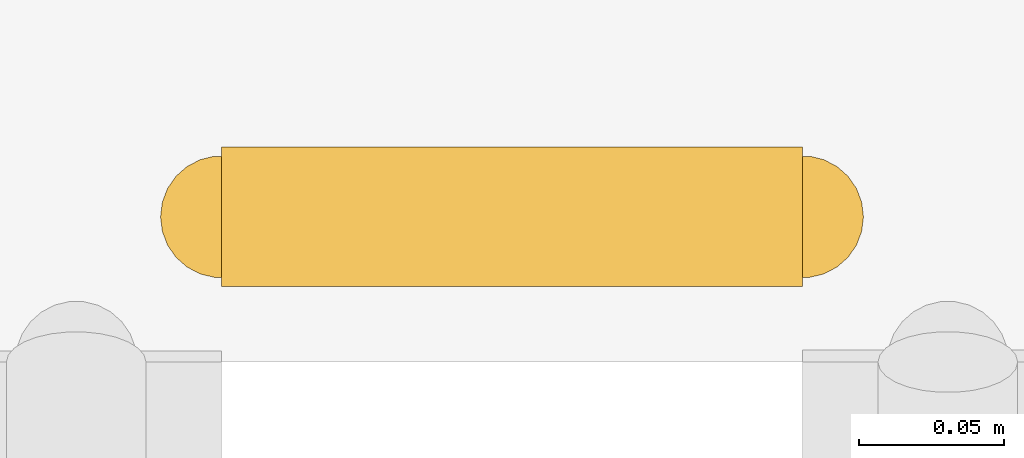
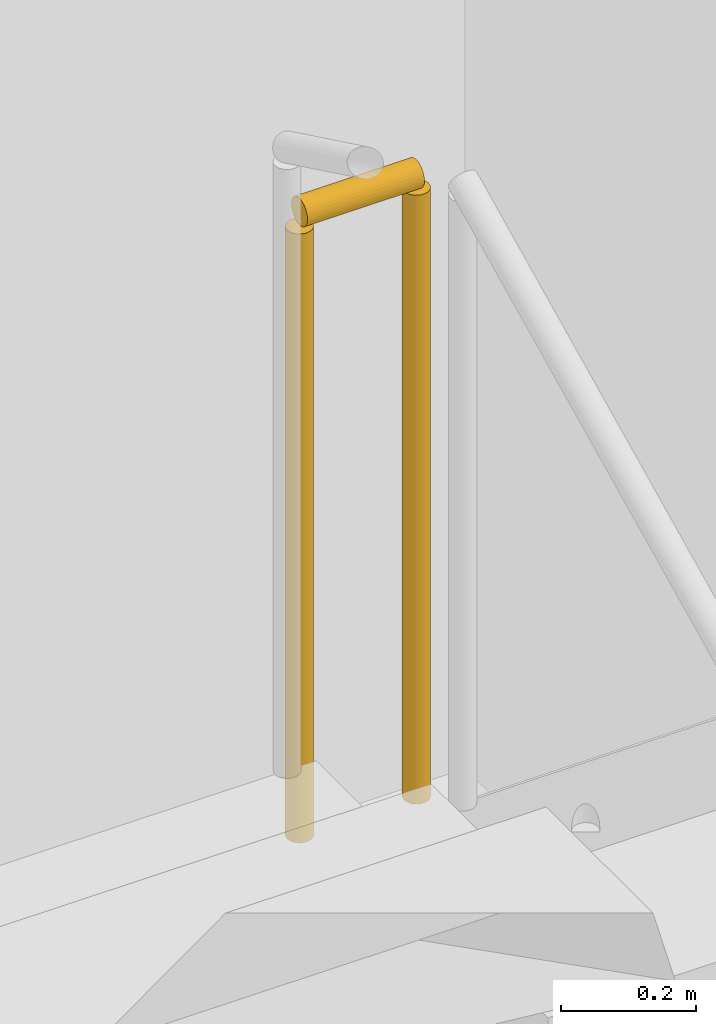
# One storey, part 11 of 13: 1 railing.
"""IFC4 building model written with IfcOpenShell, lengths in metres."""

from ifc_helpers import new_model, si_unit, direction, frame, origin, origin_2d, place, context, subcontext, project, spatial, circle, extrude, material, type_object, element, save


model = new_model("IFC4")

# Units and contexts
model_context = context("Model", 3, precision=1e-05, world=origin(), true_north=direction((0.0, 1.0)))
body_context = subcontext(model_context, "Body", "Model", "MODEL_VIEW")
ifc_project = project(units=[si_unit("LENGTHUNIT", "METRE"), si_unit("AREAUNIT", "SQUARE_METRE"), si_unit("VOLUMEUNIT", "CUBIC_METRE"), si_unit("PLANEANGLEUNIT", "RADIAN"), si_unit("MASSUNIT", "GRAM", prefix="KILO")], contexts=[model_context])

# Site, building, storey
site_placement = place(None, origin())
site = spatial("IfcSite", under=ifc_project, at=site_placement, CompositionType="ELEMENT")
building_placement = place(site_placement, origin())
building = spatial("IfcBuilding", under=site, at=building_placement, Name="Nahalor Promenade Grand Hotel", CompositionType="ELEMENT")
storey_placement = place(building_placement, frame((0.0, 0.0, 357.050048828125)))
storey = spatial("IfcBuildingStorey", under=building, at=storey_placement, Name="L91", CompositionType="ELEMENT", Elevation=357.050048828125)

# Railing
ifc_material = material(Name="Steel S355JR", Category="steel")
railing_type = type_object("IfcRailingType", Name="Steel Stair Guardrail 1150 mm", PredefinedType="GUARDRAIL", material=ifc_material)
railing_placement = place(storey_placement, frame((5.699951171875, 12.570068359375, 2.300048828125)))
element("IfcRailing", 1, at=railing_placement, inside=storey, type_object=railing_type, Name="L91 ST1 stair guard 2", PredefinedType="GUARDRAIL", context=body_context, shape_type="SweptSolid", body=[
    extrude(circle(Radius=0.024048, at=origin_2d()), frame((0.0, 0.0, 1.1259765625), z_axis=(-1.0, 0.0, 0.0), x_axis=(0.0, -1.0, 0.0)), (0.0, 0.0, 1.0), 0.199951171875),
    extrude(circle(Radius=0.020996, at=origin_2d()), origin(), (0.0, 0.0, 1.0), 1.099853515625),
    extrude(circle(Radius=0.020996, at=origin_2d()), frame((-0.199951171875, 0.0, 0.0)), (0.0, 0.0, 1.0), 1.099853515625),
])

save(model, "model.ifc")
